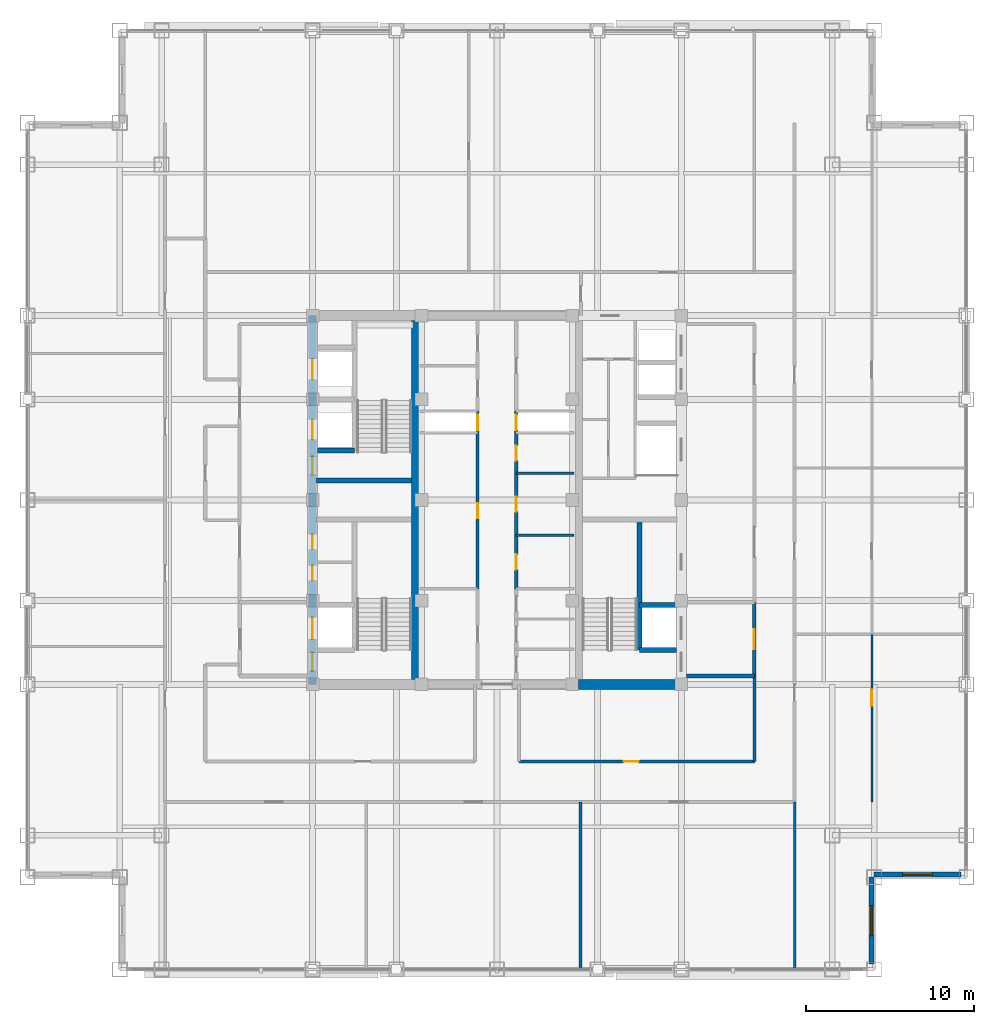
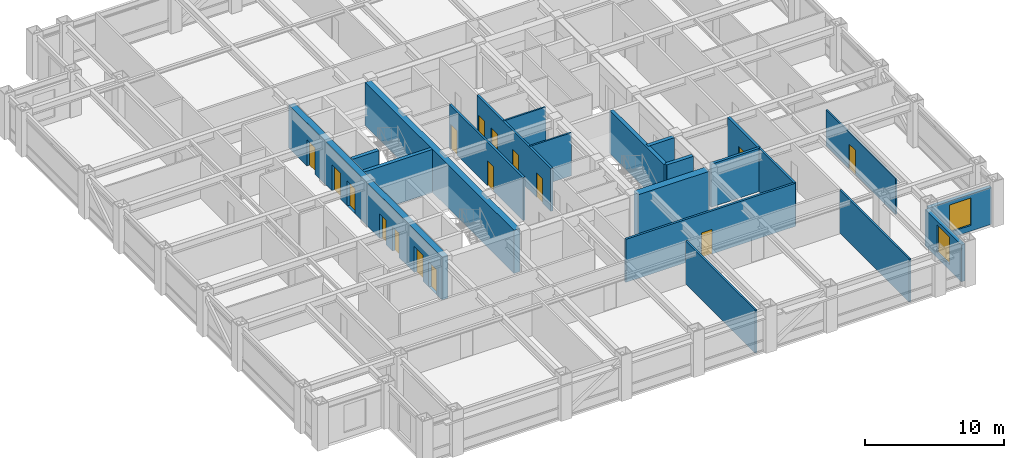
# One storey, part 19 of 27: 21 walls, 16 doors, 2 windows, 18 openings.
"""IFC4 building model written with IfcOpenShell, lengths in metres."""

from ifc_helpers import new_model, si_unit, direction, frame, frame_2d, origin, place, context, subcontext, project, spatial, rectangle, extrude, source, transform, mapped, material, layer, layer_set, type_object, element, fill, save


model = new_model("IFC4")

# Units and contexts
model_context = context("Model", 3, precision=1e-05, world=origin(), true_north=direction((0.0, 1.0)))
body_context = subcontext(model_context, "Body", "Model", "MODEL_VIEW")
ifc_project = project(units=[si_unit("LENGTHUNIT", "METRE"), si_unit("AREAUNIT", "SQUARE_METRE"), si_unit("VOLUMEUNIT", "CUBIC_METRE"), si_unit("PLANEANGLEUNIT", "RADIAN"), si_unit("MASSUNIT", "GRAM", prefix="KILO")], contexts=[model_context])

# Site, building, storey
site_placement = place(None, origin())
site = spatial("IfcSite", under=ifc_project, at=site_placement, CompositionType="ELEMENT")
building_placement = place(site_placement, origin())
building = spatial("IfcBuilding", under=site, at=building_placement, Name="Khorayat Bourse Tower", CompositionType="ELEMENT")
storey_placement = place(building_placement, frame((0.0, 0.0, 317.5)))
storey = spatial("IfcBuildingStorey", under=building, at=storey_placement, Name="L75", CompositionType="ELEMENT", Elevation=317.5)

# Wall, openings, doors
ifc_material_1 = material(Name="Concrete C52/65", Category="concrete")
ifc_layer_1 = layer(ifc_material_1, 0.5)
ifc_layer_set_1 = layer_set([ifc_layer_1], Name="Concrete C52/65")
wall_type_1 = type_object("IfcWallType", Name="WAL-CORE-500", PredefinedType="SHEAR", material=ifc_layer_set_1)
shared_shape_1 = source(origin(), body_context, "Body", "SweptSolid", [
    extrude(rectangle(XDim=22.0, YDim=0.5, at=frame_2d((11.0, 0.0))), origin(), (0.0, 0.0, 1.0), 3.780029296875),
])
wall_1_placement = place(storey_placement, frame((-11.0, -11.0, 0.0), z_axis=(0.0, 0.0, 1.0), x_axis=(0.0, 1.0, 0.0)))
wall_1 = element("IfcWall", 1, at=wall_1_placement, inside=storey, type_object=wall_type_1, Name="L75 Core Shear Wall CORE-W", PredefinedType="SHEAR", context=body_context, shape_type="MappedRepresentation", body=[
    mapped(shared_shape_1, transform((0.0, 0.0, 0.0), scale=1.0)),
])
shared_shape_2 = source(origin(), body_context, "Body", "SweptSolid", [
    extrude(rectangle(XDim=1.10009765625, YDim=2.199951171875, at=frame_2d((0.550048828125, 1.10009765625))), frame((0.0, 0.260009765625, 0.0), z_axis=(0.0, -1.0, 0.0), x_axis=(1.0, 0.0, 0.0)), (0.0, 0.0, 1.0), 0.52001953125),
])
opening_1_placement = place(wall_1_placement, frame((0.800048828125, 0.0, 0.0)))
opening_1 = element("IfcOpeningElement", 2, at=opening_1_placement, cuts=wall_1, Name="Opening DI-01", PredefinedType="OPENING", context=body_context, shape_type="MappedRepresentation", body=[
    mapped(shared_shape_2, transform((0.0, 0.0, 0.0), scale=1.0)),
])
opening_2_placement = place(wall_1_placement, frame((12.5, 0.0, 0.0)))
opening_2 = element("IfcOpeningElement", 3, at=opening_2_placement, cuts=wall_1, Name="Opening DI-01", PredefinedType="OPENING", context=body_context, shape_type="MappedRepresentation", body=[
    mapped(shared_shape_2, transform((0.0, 0.0, 0.0), scale=1.0)),
])
shared_shape_3 = source(origin(), body_context, "Body", "SweptSolid", [
    extrude(rectangle(XDim=0.89990234375, YDim=2.14990234375, at=frame_2d((0.449951171875, 1.074951171875))), frame((0.0, 0.260009765625, 0.0), z_axis=(0.0, -1.0, 0.0), x_axis=(1.0, 0.0, 0.0)), (0.0, 0.0, 1.0), 0.52001953125),
])
opening_3_placement = place(wall_1_placement, frame((6.199951171875, 0.0, 0.0)))
opening_3 = element("IfcOpeningElement", 4, at=opening_3_placement, cuts=wall_1, Name="Opening DI-06", PredefinedType="OPENING", context=body_context, shape_type="MappedRepresentation", body=[
    mapped(shared_shape_3, transform((0.0, 0.0, 0.0), scale=1.0)),
])
opening_4_placement = place(wall_1_placement, frame((8.050048828125, 0.0, 0.0)))
opening_4 = element("IfcOpeningElement", 5, at=opening_4_placement, cuts=wall_1, Name="Opening DI-06", PredefinedType="OPENING", context=body_context, shape_type="MappedRepresentation", body=[
    mapped(shared_shape_3, transform((0.0, 0.0, 0.0), scale=1.0)),
])
shared_shape_4 = source(origin(), body_context, "Body", "SweptSolid", [
    extrude(rectangle(XDim=1.199951171875, YDim=2.300048828125, at=frame_2d((0.60009765625, 1.14990234375))), frame((0.0, 0.260009765625, 0.0), z_axis=(0.0, -1.0, 0.0), x_axis=(1.0, 0.0, 0.0)), (0.0, 0.0, 1.0), 0.52001953125),
])
opening_5_placement = place(wall_1_placement, frame((14.60009765625, 0.0, 0.0)))
opening_5 = element("IfcOpeningElement", 6, at=opening_5_placement, cuts=wall_1, Name="Opening LD-01", PredefinedType="OPENING", context=body_context, shape_type="MappedRepresentation", body=[
    mapped(shared_shape_4, transform((0.0, 0.0, 0.0), scale=1.0)),
])
opening_6_placement = place(wall_1_placement, frame((18.199951171875, 0.0, 0.0)))
opening_6 = element("IfcOpeningElement", 7, at=opening_6_placement, cuts=wall_1, Name="Opening LD-01", PredefinedType="OPENING", context=body_context, shape_type="MappedRepresentation", body=[
    mapped(shared_shape_4, transform((0.0, 0.0, 0.0), scale=1.0)),
])
shared_shape_5 = source(origin(), body_context, "Body", "SweptSolid", [
    extrude(rectangle(XDim=1.300048828125, YDim=2.300048828125, at=frame_2d((0.64990234375, 1.14990234375))), frame((0.0, 0.260009765625, 0.0), z_axis=(0.0, -1.0, 0.0), x_axis=(1.0, 0.0, 0.0)), (0.0, 0.0, 1.0), 0.52001953125),
])
opening_7_placement = place(wall_1_placement, frame((2.699951171875, 0.0, 0.0)))
opening_7 = element("IfcOpeningElement", 8, at=opening_7_placement, cuts=wall_1, Name="Opening LD-02", PredefinedType="OPENING", context=body_context, shape_type="MappedRepresentation", body=[
    mapped(shared_shape_5, transform((0.0, 0.0, 0.0), scale=1.0)),
])
ifc_material_2 = material(Name="Fire-rated steel acoustic leaf", Category="steel")
door_type_1 = type_object("IfcDoorType", Name="DR-INT-STAIR-1100", OperationType="NOTDEFINED", PredefinedType="DOOR", material=ifc_material_2)
shared_shape_6 = source(origin(), body_context, "Body", "SweptSolid", [
    extrude(rectangle(XDim=1.10009765625, YDim=2.199951171875, at=frame_2d((0.550048828125, 1.10009765625))), frame((0.0, 0.02490234375, 0.0), z_axis=(0.0, -1.0, 0.0), x_axis=(1.0, 0.0, 0.0)), (0.0, 0.0, 1.0), 0.050048828125),
])
door_1_placement = place(opening_1_placement, origin())
door_1 = element("IfcDoor", 9, at=door_1_placement, inside=storey, type_object=door_type_1, Name="L75 Exit Stair 1 Door", OperationType="SINGLE_SWING_RIGHT", OverallHeight=2.199951171875, OverallWidth=1.10009765625, PredefinedType="DOOR", context=body_context, shape_type="MappedRepresentation", body=[
    mapped(shared_shape_6, transform((0.0, 0.0, 0.0), scale=1.0)),
])
fill(opening_1, door_1)
door_2_placement = place(opening_2_placement, origin())
door_2 = element("IfcDoor", 10, at=door_2_placement, inside=storey, type_object=door_type_1, Name="L75 Exit Stair 2 Door", OperationType="SINGLE_SWING_RIGHT", OverallHeight=2.199951171875, OverallWidth=1.10009765625, PredefinedType="DOOR", context=body_context, shape_type="MappedRepresentation", body=[
    mapped(shared_shape_6, transform((0.0, 0.0, 0.0), scale=1.0)),
])
fill(opening_2, door_2)
ifc_material_3 = material(Name="Moisture-resistant laminate washroom door")
door_type_2 = type_object("IfcDoorType", Name="DR-INT-WC-900", OperationType="NOTDEFINED", PredefinedType="DOOR", material=ifc_material_3)
shared_shape_7 = source(origin(), body_context, "Body", "SweptSolid", [
    extrude(rectangle(XDim=0.89990234375, YDim=2.14990234375, at=frame_2d((0.449951171875, 1.074951171875))), frame((0.0, 0.02490234375, 0.0), z_axis=(0.0, -1.0, 0.0), x_axis=(1.0, 0.0, 0.0)), (0.0, 0.0, 1.0), 0.050048828125),
])
door_3_placement = place(opening_3_placement, origin())
door_3 = element("IfcDoor", 11, at=door_3_placement, inside=storey, type_object=door_type_2, Name="L75 Electrical Plant Room Door", OperationType="SINGLE_SWING_RIGHT", OverallHeight=2.14990234375, OverallWidth=0.89990234375, PredefinedType="DOOR", context=body_context, shape_type="MappedRepresentation", body=[
    mapped(shared_shape_7, transform((0.0, 0.0, 0.0), scale=1.0)),
])
fill(opening_3, door_3)
door_4_placement = place(opening_4_placement, origin())
door_4 = element("IfcDoor", 12, at=door_4_placement, inside=storey, type_object=door_type_2, Name="L75 Cleaner Storage Room Door", OperationType="SINGLE_SWING_LEFT", OverallHeight=2.14990234375, OverallWidth=0.89990234375, PredefinedType="DOOR", context=body_context, shape_type="MappedRepresentation", body=[
    mapped(shared_shape_7, transform((0.0, 0.0, 0.0), scale=1.0)),
])
fill(opening_4, door_4)
ifc_material_4 = material(Name="Brushed bronze stainless-steel sliding door", Category="steel")
door_type_3 = type_object("IfcDoorType", Name="DR-LIFT-PASS-1200", OperationType="NOTDEFINED", PredefinedType="DOOR", material=ifc_material_4)
shared_shape_8 = source(origin(), body_context, "Body", "SweptSolid", [
    extrude(rectangle(XDim=1.199951171875, YDim=2.300048828125, at=frame_2d((0.60009765625, 1.14990234375))), frame((0.0, 0.02490234375, 0.0), z_axis=(0.0, -1.0, 0.0), x_axis=(1.0, 0.0, 0.0)), (0.0, 0.0, 1.0), 0.050048828125),
])
door_5_placement = place(opening_5_placement, origin())
door_5 = element("IfcDoor", 13, at=door_5_placement, inside=storey, type_object=door_type_3, Name="L75 Lift PL-H1 Sliding Landing Door", OperationType="SLIDING_TO_LEFT", OverallHeight=2.300048828125, OverallWidth=1.199951171875, PredefinedType="DOOR", context=body_context, shape_type="MappedRepresentation", body=[
    mapped(shared_shape_8, transform((0.0, 0.0, 0.0), scale=1.0)),
])
fill(opening_5, door_5)
door_6_placement = place(opening_6_placement, origin())
door_6 = element("IfcDoor", 14, at=door_6_placement, inside=storey, type_object=door_type_3, Name="L75 Lift PL-H2 Sliding Landing Door", OperationType="SLIDING_TO_LEFT", OverallHeight=2.300048828125, OverallWidth=1.199951171875, PredefinedType="DOOR", context=body_context, shape_type="MappedRepresentation", body=[
    mapped(shared_shape_8, transform((0.0, 0.0, 0.0), scale=1.0)),
])
fill(opening_6, door_6)
ifc_material_5 = material(Name="Fire-rated stainless-steel sliding landing door", Category="steel")
door_type_4 = type_object("IfcDoorType", Name="DR-LIFT-FF-1300", OperationType="NOTDEFINED", PredefinedType="DOOR", material=ifc_material_5)
shared_shape_9 = source(origin(), body_context, "Body", "SweptSolid", [
    extrude(rectangle(XDim=1.300048828125, YDim=2.300048828125, at=frame_2d((0.64990234375, 1.14990234375))), frame((0.0, 0.02490234375, 0.0), z_axis=(0.0, -1.0, 0.0), x_axis=(1.0, 0.0, 0.0)), (0.0, 0.0, 1.0), 0.050048828125),
])
door_7_placement = place(opening_7_placement, origin())
door_7 = element("IfcDoor", 15, at=door_7_placement, inside=storey, type_object=door_type_4, Name="L75 Lift FFL-01 Sliding Landing Door", OperationType="SLIDING_TO_LEFT", OverallHeight=2.300048828125, OverallWidth=1.300048828125, PredefinedType="DOOR", context=body_context, shape_type="MappedRepresentation", body=[
    mapped(shared_shape_9, transform((0.0, 0.0, 0.0), scale=1.0)),
])
fill(opening_7, door_7)

# Walls
shared_shape_10 = source(origin(), body_context, "Body", "SweptSolid", [
    extrude(rectangle(XDim=21.39990234375, YDim=0.5, at=frame_2d((10.699951171875, 0.0))), origin(), (0.0, 0.0, 1.0), 3.780029296875),
])
wall_2_placement = place(storey_placement, frame((-4.85009765625, -10.699951171875, 0.0), z_axis=(0.0, 0.0, 1.0), x_axis=(0.0, 1.0, 0.0)))
element("IfcWall", 16, at=wall_2_placement, inside=storey, type_object=wall_type_1, Name="L75 Core Shear Wall PIER-W", PredefinedType="SHEAR", context=body_context, shape_type="MappedRepresentation", body=[
    mapped(shared_shape_10, transform((0.0, 0.0, 0.0), scale=1.0)),
])
ifc_material_6 = material(Name="Concrete C60/75", Category="concrete")
ifc_layer_2 = layer(ifc_material_6, 0.60009765625)
ifc_layer_set_2 = layer_set([ifc_layer_2], Name="Concrete C60/75")
wall_type_2 = type_object("IfcWallType", Name="WAL-CORE-600", PredefinedType="SHEAR", material=ifc_layer_set_2)
shared_shape_11 = source(origin(), body_context, "Body", "SweptSolid", [
    extrude(rectangle(XDim=5.89990234375, YDim=0.60009765625, at=frame_2d((2.949951171875, 0.0))), origin(), (0.0, 0.0, 1.0), 3.780029296875),
])
wall_3_placement = place(storey_placement, frame((4.85009765625, -11.0, 0.0), z_axis=(0.0, 0.0, 1.0), x_axis=(1.0, 0.0, 0.0)))
element("IfcWall", 17, at=wall_3_placement, inside=storey, type_object=wall_type_2, Name="L75 Core Shear Wall PIER-ES", PredefinedType="SHEAR", context=body_context, shape_type="MappedRepresentation", body=[
    mapped(shared_shape_11, transform((0.0, 0.0, 0.0), scale=1.0)),
])
ifc_material_7 = material(Name="Concrete C50/60", Category="concrete")
ifc_layer_3 = layer(ifc_material_7, 0.300048828125)
ifc_layer_set_3 = layer_set([ifc_layer_3], Name="Concrete C50/60")
wall_type_3 = type_object("IfcWallType", Name="WAL-SHAFT-300", PredefinedType="SHEAR", material=ifc_layer_set_3)
shared_shape_12 = source(origin(), body_context, "Body", "SweptSolid", [
    extrude(rectangle(XDim=5.64990234375, YDim=0.300048828125, at=frame_2d((2.824951171875, 0.0))), origin(), (0.0, 0.0, 1.0), 3.780029296875),
])
wall_4_placement = place(storey_placement, frame((-10.75, 1.14990234375, 0.0), z_axis=(0.0, 0.0, 1.0), x_axis=(1.0, 0.0, 0.0)))
element("IfcWall", 18, at=wall_4_placement, inside=storey, type_object=wall_type_3, Name="L75 Core Shear Wall ST2-DIV", PredefinedType="SHEAR", context=body_context, shape_type="MappedRepresentation", body=[
    mapped(shared_shape_12, transform((0.0, 0.0, 0.0), scale=1.0)),
])

# Wall, opening, window
ifc_material_8 = material(Name="Precast concrete C45/55", Category="concrete")
ifc_layer_4 = layer(ifc_material_8, 0.320068359375)
ifc_layer_set_4 = layer_set([ifc_layer_4], Name="Precast concrete C45/55")
wall_type_4 = type_object("IfcWallType", Name="WAL-EXT-STONE-320", PredefinedType="STANDARD", material=ifc_layer_set_4)
shared_shape_13 = source(origin(), body_context, "Body", "SweptSolid", [
    extrude(rectangle(XDim=5.179931640625, YDim=0.320068359375, at=frame_2d((2.58984375, 0.0))), origin(), (0.0, 0.0, 1.0), 3.23095703125),
])
wall_5_placement = place(storey_placement, frame((22.340087890625, -27.679931640625, 0.0), z_axis=(0.0, 0.0, 1.0), x_axis=(0.0, 1.0, 0.0)))
wall_5 = element("IfcWall", 19, at=wall_5_placement, inside=storey, type_object=wall_type_4, Name="L75 Re-Entrant Notch Limestone Wall SE-V", PredefinedType="STANDARD", context=body_context, shape_type="MappedRepresentation", body=[
    mapped(shared_shape_13, transform((0.0, 0.0, 0.0), scale=1.0)),
])
shared_shape_14 = source(origin(), body_context, "Body", "SweptSolid", [
    extrude(rectangle(XDim=1.800048828125, YDim=2.39990234375, at=frame_2d((0.89990234375, 1.199951171875))), frame((0.0, 0.169921875, 0.0), z_axis=(0.0, -1.0, 0.0), x_axis=(1.0, 0.0, 0.0)), (0.0, 0.0, 1.0), 0.340087890625),
])
opening_8_placement = place(wall_5_placement, frame((1.68994140625, 0.0, 0.5)))
opening_8 = element("IfcOpeningElement", 20, at=opening_8_placement, cuts=wall_5, Name="Opening WN-04", PredefinedType="OPENING", context=body_context, shape_type="MappedRepresentation", body=[
    mapped(shared_shape_14, transform((0.0, 0.0, 0.0), scale=1.0)),
])
ifc_material_9 = material(Name="Low-E acoustic laminated double glazing", Category="glass")
window_type = type_object("IfcWindowType", Name="WIN-NOTCH-1800x2400", PartitioningType="SINGLE_PANEL", PredefinedType="WINDOW", material=ifc_material_9)
shared_shape_15 = source(origin(), body_context, "Body", "SweptSolid", [
    extrude(rectangle(XDim=1.800048828125, YDim=2.39990234375, at=frame_2d((0.89990234375, 1.199951171875))), frame((0.0, 0.030029296875, 0.0), z_axis=(0.0, -1.0, 0.0), x_axis=(1.0, 0.0, 0.0)), (0.0, 0.0, 1.0), 0.06005859375),
])
window_1_placement = place(opening_8_placement, origin())
window_1 = element("IfcWindow", 21, at=window_1_placement, inside=storey, type_object=window_type, Name="L75 Facade Window 1", OverallHeight=2.39990234375, OverallWidth=1.800048828125, PartitioningType="SINGLE_PANEL", PredefinedType="WINDOW", context=body_context, shape_type="MappedRepresentation", body=[
    mapped(shared_shape_15, transform((0.0, 0.0, 0.0), scale=1.0)),
])
fill(opening_8, window_1)

wall_6_placement = place(storey_placement, frame((22.5, -22.340087890625, 0.0), z_axis=(0.0, 0.0, 1.0), x_axis=(1.0, 0.0, 0.0)))
wall_6 = element("IfcWall", 22, at=wall_6_placement, inside=storey, type_object=wall_type_4, Name="L75 Re-Entrant Notch Limestone Wall SE-H", PredefinedType="STANDARD", context=body_context, shape_type="MappedRepresentation", body=[
    mapped(shared_shape_13, transform((0.0, 0.0, 0.0), scale=1.0)),
])
opening_9_placement = place(wall_6_placement, frame((1.68994140625, 0.0, 0.5)))
opening_9 = element("IfcOpeningElement", 23, at=opening_9_placement, cuts=wall_6, Name="Opening WN-04", PredefinedType="OPENING", context=body_context, shape_type="MappedRepresentation", body=[
    mapped(shared_shape_14, transform((0.0, 0.0, 0.0), scale=1.0)),
])
window_2_placement = place(opening_9_placement, origin())
window_2 = element("IfcWindow", 24, at=window_2_placement, inside=storey, type_object=window_type, Name="L75 Facade Window 1", OverallHeight=2.39990234375, OverallWidth=1.800048828125, PartitioningType="SINGLE_PANEL", PredefinedType="WINDOW", context=body_context, shape_type="MappedRepresentation", body=[
    mapped(shared_shape_15, transform((0.0, 0.0, 0.0), scale=1.0)),
])
fill(opening_9, window_2)

# Walls
shared_shape_16 = source(origin(), body_context, "Body", "SweptSolid", [
    extrude(rectangle(XDim=7.800048828125, YDim=0.300048828125, at=frame_2d((3.89990234375, 0.0))), origin(), (0.0, 0.0, 1.0), 3.780029296875),
])
wall_7_placement = place(storey_placement, frame((8.5, -8.949951171875, 0.0), z_axis=(0.0, 0.0, 1.0), x_axis=(0.0, 1.0, 0.0)))
element("IfcWall", 25, at=wall_7_placement, inside=storey, type_object=wall_type_3, Name="L75 Partition WAL-L75-EPIER-SP", PredefinedType="SHEAR", context=body_context, shape_type="MappedRepresentation", body=[
    mapped(shared_shape_16, transform((0.0, 0.0, 0.0), scale=1.0)),
])
shared_shape_17 = source(origin(), body_context, "Body", "SweptSolid", [
    extrude(rectangle(XDim=2.199951171875, YDim=0.300048828125, at=frame_2d((1.10009765625, 0.0))), origin(), (0.0, 0.0, 1.0), 3.780029296875),
])
for number, where, z_axis, x_axis, name in (
    (26, (-10.699951171875, 2.949951171875, 0.0), (0.0, 0.0, 1.0), (1.0, 0.0, 0.0), "L75 Partition WAL-L75-WPIER-H1S"),
    (27, (8.5, -8.949951171875, 0.0), (0.0, 0.0, 1.0), (1.0, 0.0, 0.0), "L75 Partition WAL-L75-EPIER-FF2S"),
    (28, (8.5, -6.25, 0.0), (0.0, 0.0, 1.0), (1.0, 0.0, 0.0), "L75 Partition WAL-L75-EPIER-FF2N"),
):
    element("IfcWall", number, at=place(storey_placement, frame(where, z_axis=z_axis, x_axis=x_axis)), inside=storey, type_object=wall_type_3, Name=name, PredefinedType="SHEAR", context=body_context, shape_type="MappedRepresentation", body=[
        mapped(shared_shape_17, transform((0.0, 0.0, 0.0), scale=1.0)),
    ])
ifc_material_10 = material(Name="Aerated concrete blockwork", Category="masonry")
ifc_layer_5 = layer(ifc_material_10, 0.219970703125)
ifc_layer_set_5 = layer_set([ifc_layer_5], Name="Aerated concrete blockwork")
wall_type_5 = type_object("IfcWallType", Name="WAL-PART-FF-220", PredefinedType="PARTITIONING", material=ifc_layer_set_5)
shared_shape_18 = source(origin(), body_context, "Body", "SweptSolid", [
    extrude(rectangle(XDim=4.050048828125, YDim=0.219970703125, at=frame_2d((2.02490234375, 0.0))), origin(), (0.0, 0.0, 1.0), 3.780029296875),
])
wall_8_placement = place(storey_placement, frame((11.300048828125, -10.5, 0.0), z_axis=(0.0, 0.0, 1.0), x_axis=(1.0, 0.0, 0.0)))
element("IfcWall", 29, at=wall_8_placement, inside=storey, type_object=wall_type_5, Name="L75 Partition WAL-L75-FFLE-S", PredefinedType="PARTITIONING", context=body_context, shape_type="MappedRepresentation", body=[
    mapped(shared_shape_18, transform((0.0, 0.0, 0.0), scale=1.0)),
])

# Wall, opening, door
shared_shape_19 = source(origin(), body_context, "Body", "SweptSolid", [
    extrude(rectangle(XDim=4.39990234375, YDim=0.219970703125, at=frame_2d((2.199951171875, 0.0))), origin(), (0.0, 0.0, 1.0), 3.780029296875),
])
wall_9_placement = place(storey_placement, frame((15.35009765625, -10.5, 0.0), z_axis=(0.0, 0.0, 1.0), x_axis=(0.0, 1.0, 0.0)))
wall_9 = element("IfcWall", 30, at=wall_9_placement, inside=storey, type_object=wall_type_5, Name="L75 Partition WAL-L75-FFLE-E", PredefinedType="PARTITIONING", context=body_context, shape_type="MappedRepresentation", body=[
    mapped(shared_shape_19, transform((0.0, 0.0, 0.0), scale=1.0)),
])
shared_shape_20 = source(origin(), body_context, "Body", "SweptSolid", [
    extrude(rectangle(XDim=1.199951171875, YDim=2.199951171875, at=frame_2d((0.60009765625, 1.10009765625))), frame((0.0, 0.119873046875, 0.0), z_axis=(0.0, -1.0, 0.0), x_axis=(1.0, 0.0, 0.0)), (0.0, 0.0, 1.0), 0.239990234375),
])
opening_10_placement = place(wall_9_placement, frame((1.60009765625, 0.0, 0.0)))
opening_10 = element("IfcOpeningElement", 31, at=opening_10_placement, cuts=wall_9, Name="Opening DI-02", PredefinedType="OPENING", context=body_context, shape_type="MappedRepresentation", body=[
    mapped(shared_shape_20, transform((0.0, 0.0, 0.0), scale=1.0)),
])
ifc_material_11 = material(Name="Fire-rated steel double-seal leaf", Category="steel")
door_type_5 = type_object("IfcDoorType", Name="DR-INT-FFLOBBY-1200", OperationType="NOTDEFINED", PredefinedType="DOOR", material=ifc_material_11)
shared_shape_21 = source(origin(), body_context, "Body", "SweptSolid", [
    extrude(rectangle(XDim=1.199951171875, YDim=2.199951171875, at=frame_2d((0.60009765625, 1.10009765625))), frame((0.0, 0.02490234375, 0.0), z_axis=(0.0, -1.0, 0.0), x_axis=(1.0, 0.0, 0.0)), (0.0, 0.0, 1.0), 0.050048828125),
])
door_8_placement = place(opening_10_placement, origin())
door_8 = element("IfcDoor", 32, at=door_8_placement, inside=storey, type_object=door_type_5, Name="L75 East Firefighting Lobby Door", OperationType="SINGLE_SWING_RIGHT", OverallHeight=2.199951171875, OverallWidth=1.199951171875, PredefinedType="DOOR", context=body_context, shape_type="MappedRepresentation", body=[
    mapped(shared_shape_21, transform((0.0, 0.0, 0.0), scale=1.0)),
])
fill(opening_10, door_8)

# Walls
ifc_material_12 = material(Name="Moisture-resistant masonry partition", Category="masonry")
ifc_layer_6 = layer(ifc_material_12, 0.139892578125)
ifc_layer_set_6 = layer_set([ifc_layer_6], Name="Moisture-resistant masonry partition")
wall_type_6 = type_object("IfcWallType", Name="WAL-PART-WET-140", PredefinedType="PARTITIONING", material=ifc_layer_set_6)
shared_shape_22 = source(origin(), body_context, "Body", "SweptSolid", [
    extrude(rectangle(XDim=3.4501953125, YDim=0.139892578125, at=frame_2d((1.72509765625, 0.0))), origin(), (0.0, 0.0, 1.0), 3.780029296875),
])
for number, where, z_axis, x_axis, name in (
    (33, (1.14990234375, -2.10009765625, 0.0), (0.0, 0.0, 1.0), (1.0, 0.0, 0.0), "L75 Partition WAL-L75-CME-D1"),
    (34, (1.14990234375, 1.60009765625, 0.0), (0.0, 0.0, 1.0), (1.0, 0.0, 0.0), "L75 Partition WAL-L75-CME-D2"),
):
    element("IfcWall", number, at=place(storey_placement, frame(where, z_axis=z_axis, x_axis=x_axis)), inside=storey, type_object=wall_type_6, Name=name, PredefinedType="PARTITIONING", context=body_context, shape_type="MappedRepresentation", body=[
        mapped(shared_shape_22, transform((0.0, 0.0, 0.0), scale=1.0)),
    ])

# Wall, openings, doors
ifc_material_13 = material(Name="Gypsum plasterboard acoustic stud wall")
ifc_layer_7 = layer(ifc_material_13, 0.179931640625)
ifc_layer_set_7 = layer_set([ifc_layer_7], Name="Gypsum plasterboard acoustic stud wall")
wall_type_7 = type_object("IfcWallType", Name="WAL-PART-CORR-180", PredefinedType="PARTITIONING", material=ifc_layer_set_7)
shared_shape_23 = source(origin(), body_context, "Body", "SweptSolid", [
    extrude(rectangle(XDim=10.60009765625, YDim=0.179931640625, at=frame_2d((5.300048828125, 0.0))), origin(), (0.0, 0.0, 1.0), 3.780029296875),
])
wall_10_placement = place(storey_placement, frame((-1.14990234375, -5.300048828125, 0.0), z_axis=(0.0, 0.0, 1.0), x_axis=(0.0, 1.0, 0.0)))
wall_10 = element("IfcWall", 35, at=wall_10_placement, inside=storey, type_object=wall_type_7, Name="L75 Partition WAL-L75-CMW-L", PredefinedType="PARTITIONING", context=body_context, shape_type="MappedRepresentation", body=[
    mapped(shared_shape_23, transform((0.0, 0.0, 0.0), scale=1.0)),
])
shared_shape_24 = source(origin(), body_context, "Body", "SweptSolid", [
    extrude(rectangle(XDim=0.89990234375, YDim=2.14990234375, at=frame_2d((0.449951171875, 1.074951171875))), frame((0.0, 0.099853515625, 0.0), z_axis=(0.0, -1.0, 0.0), x_axis=(1.0, 0.0, 0.0)), (0.0, 0.0, 1.0), 0.199951171875),
])
opening_11_placement = place(wall_10_placement, frame((4.199951171875, 0.0, 0.0)))
opening_11 = element("IfcOpeningElement", 36, at=opening_11_placement, cuts=wall_10, Name="Opening DI-06", PredefinedType="OPENING", context=body_context, shape_type="MappedRepresentation", body=[
    mapped(shared_shape_24, transform((0.0, 0.0, 0.0), scale=1.0)),
])
opening_12_placement = place(wall_10_placement, frame((9.47509765625, 0.0, 0.0)))
opening_12 = element("IfcOpeningElement", 37, at=opening_12_placement, cuts=wall_10, Name="Opening DI-06", PredefinedType="OPENING", context=body_context, shape_type="MappedRepresentation", body=[
    mapped(shared_shape_24, transform((0.0, 0.0, 0.0), scale=1.0)),
])
door_9_placement = place(opening_11_placement, origin())
door_9 = element("IfcDoor", 38, at=door_9_placement, inside=storey, type_object=door_type_2, Name="L75 Male Core Washroom Door", OperationType="SINGLE_SWING_RIGHT", OverallHeight=2.14990234375, OverallWidth=0.89990234375, PredefinedType="DOOR", context=body_context, shape_type="MappedRepresentation", body=[
    mapped(shared_shape_7, transform((0.0, 0.0, 0.0), scale=1.0)),
])
fill(opening_11, door_9)
door_10_placement = place(opening_12_placement, origin())
door_10 = element("IfcDoor", 39, at=door_10_placement, inside=storey, type_object=door_type_2, Name="L75 West Core Riser Door", OperationType="SINGLE_SWING_LEFT", OverallHeight=2.14990234375, OverallWidth=0.89990234375, PredefinedType="DOOR", context=body_context, shape_type="MappedRepresentation", body=[
    mapped(shared_shape_7, transform((0.0, 0.0, 0.0), scale=1.0)),
])
fill(opening_12, door_10)

wall_11_placement = place(storey_placement, frame((1.14990234375, -5.300048828125, 0.0), z_axis=(0.0, 0.0, 1.0), x_axis=(0.0, 1.0, 0.0)))
wall_11 = element("IfcWall", 40, at=wall_11_placement, inside=storey, type_object=wall_type_7, Name="L75 Partition WAL-L75-CME-L", PredefinedType="PARTITIONING", context=body_context, shape_type="MappedRepresentation", body=[
    mapped(shared_shape_23, transform((0.0, 0.0, 0.0), scale=1.0)),
])
opening_13_placement = place(wall_11_placement, frame((1.14990234375, 0.0, 0.0)))
opening_13 = element("IfcOpeningElement", 41, at=opening_13_placement, cuts=wall_11, Name="Opening DI-06", PredefinedType="OPENING", context=body_context, shape_type="MappedRepresentation", body=[
    mapped(shared_shape_24, transform((0.0, 0.0, 0.0), scale=1.0)),
])
opening_14_placement = place(wall_11_placement, frame((4.60009765625, 0.0, 0.0)))
opening_14 = element("IfcOpeningElement", 42, at=opening_14_placement, cuts=wall_11, Name="Opening DI-06", PredefinedType="OPENING", context=body_context, shape_type="MappedRepresentation", body=[
    mapped(shared_shape_24, transform((0.0, 0.0, 0.0), scale=1.0)),
])
opening_15_placement = place(wall_11_placement, frame((7.64990234375, 0.0, 0.0)))
opening_15 = element("IfcOpeningElement", 43, at=opening_15_placement, cuts=wall_11, Name="Opening DI-06", PredefinedType="OPENING", context=body_context, shape_type="MappedRepresentation", body=[
    mapped(shared_shape_24, transform((0.0, 0.0, 0.0), scale=1.0)),
])
opening_16_placement = place(wall_11_placement, frame((9.47509765625, 0.0, 0.0)))
opening_16 = element("IfcOpeningElement", 44, at=opening_16_placement, cuts=wall_11, Name="Opening DI-06", PredefinedType="OPENING", context=body_context, shape_type="MappedRepresentation", body=[
    mapped(shared_shape_24, transform((0.0, 0.0, 0.0), scale=1.0)),
])
door_11_placement = place(opening_13_placement, origin())
door_11 = element("IfcDoor", 45, at=door_11_placement, inside=storey, type_object=door_type_2, Name="L75 Female Core Washroom Door", OperationType="SINGLE_SWING_RIGHT", OverallHeight=2.14990234375, OverallWidth=0.89990234375, PredefinedType="DOOR", context=body_context, shape_type="MappedRepresentation", body=[
    mapped(shared_shape_7, transform((0.0, 0.0, 0.0), scale=1.0)),
])
fill(opening_13, door_11)
door_12_placement = place(opening_14_placement, origin())
door_12 = element("IfcDoor", 46, at=door_12_placement, inside=storey, type_object=door_type_2, Name="L75 Cleaners Store Door", OperationType="SINGLE_SWING_LEFT", OverallHeight=2.14990234375, OverallWidth=0.89990234375, PredefinedType="DOOR", context=body_context, shape_type="MappedRepresentation", body=[
    mapped(shared_shape_7, transform((0.0, 0.0, 0.0), scale=1.0)),
])
fill(opening_14, door_12)
door_13_placement = place(opening_15_placement, origin())
door_13 = element("IfcDoor", 47, at=door_13_placement, inside=storey, type_object=door_type_2, Name="L75 Meter and BMS Plant Room Door", OperationType="SINGLE_SWING_RIGHT", OverallHeight=2.14990234375, OverallWidth=0.89990234375, PredefinedType="DOOR", context=body_context, shape_type="MappedRepresentation", body=[
    mapped(shared_shape_7, transform((0.0, 0.0, 0.0), scale=1.0)),
])
fill(opening_15, door_13)
door_14_placement = place(opening_16_placement, origin())
door_14 = element("IfcDoor", 48, at=door_14_placement, inside=storey, type_object=door_type_2, Name="L75 East Core Riser Door", OperationType="SINGLE_SWING_RIGHT", OverallHeight=2.14990234375, OverallWidth=0.89990234375, PredefinedType="DOOR", context=body_context, shape_type="MappedRepresentation", body=[
    mapped(shared_shape_7, transform((0.0, 0.0, 0.0), scale=1.0)),
])
fill(opening_16, door_14)

# Wall, opening, door
shared_shape_25 = source(origin(), body_context, "Body", "SweptSolid", [
    extrude(rectangle(XDim=14.050048828125, YDim=0.179931640625, at=frame_2d((7.02490234375, 0.0))), origin(), (0.0, 0.0, 1.0), 3.780029296875),
])
wall_12_placement = place(storey_placement, frame((1.300048828125, -15.60009765625, 0.0), z_axis=(0.0, 0.0, 1.0), x_axis=(1.0, 0.0, 0.0)))
wall_12 = element("IfcWall", 49, at=wall_12_placement, inside=storey, type_object=wall_type_7, Name="L75 Partition WAL-L75-PKSE-S", PredefinedType="PARTITIONING", context=body_context, shape_type="MappedRepresentation", body=[
    mapped(shared_shape_25, transform((0.0, 0.0, 0.0), scale=1.0)),
])
opening_17_placement = place(wall_12_placement, frame((6.25, 0.0, 0.0)))
opening_17 = element("IfcOpeningElement", 50, at=opening_17_placement, cuts=wall_12, Name="Opening DI-06", PredefinedType="OPENING", context=body_context, shape_type="MappedRepresentation", body=[
    mapped(shared_shape_24, transform((0.0, 0.0, 0.0), scale=1.0)),
])
door_15_placement = place(opening_17_placement, origin())
door_15 = element("IfcDoor", 51, at=door_15_placement, inside=storey, type_object=door_type_2, Name="L75 SE Inboard Study Door", OperationType="SINGLE_SWING_RIGHT", OverallHeight=2.14990234375, OverallWidth=0.89990234375, PredefinedType="DOOR", context=body_context, shape_type="MappedRepresentation", body=[
    mapped(shared_shape_7, transform((0.0, 0.0, 0.0), scale=1.0)),
])
fill(opening_17, door_15)

# Walls
shared_shape_26 = source(origin(), body_context, "Body", "SweptSolid", [
    extrude(rectangle(XDim=5.10009765625, YDim=0.179931640625, at=frame_2d((2.550048828125, 0.0))), origin(), (0.0, 0.0, 1.0), 3.780029296875),
])
wall_13_placement = place(storey_placement, frame((15.35009765625, -15.60009765625, 0.0), z_axis=(0.0, 0.0, 1.0), x_axis=(0.0, 1.0, 0.0)))
element("IfcWall", 52, at=wall_13_placement, inside=storey, type_object=wall_type_7, Name="L75 Partition WAL-L75-PKSE-E", PredefinedType="PARTITIONING", context=body_context, shape_type="MappedRepresentation", body=[
    mapped(shared_shape_26, transform((0.0, 0.0, 0.0), scale=1.0)),
])
ifc_material_14 = material(Name="Gypsum plasterboard twin-frame partition")
ifc_layer_8 = layer(ifc_material_14, 0.14990234375)
ifc_layer_set_8 = layer_set([ifc_layer_8], Name="Gypsum plasterboard twin-frame partition")
wall_type_8 = type_object("IfcWallType", Name="WAL-PART-SUITE-150", PredefinedType="PARTITIONING", material=ifc_layer_set_8)
shared_shape_27 = source(origin(), body_context, "Body", "SweptSolid", [
    extrude(rectangle(XDim=10.0, YDim=0.14990234375, at=frame_2d((5.0, 0.0))), origin(), (0.0, 0.0, 1.0), 3.780029296875),
])
for number, where, z_axis, x_axis, name in (
    (53, (4.98291015625, -28.0, 0.0), (0.0, 0.0, 1.0), (0.0, 1.0, 0.0), "L75 Partition WAL-L75-SDV-2"),
    (54, (17.75, -28.0, 0.0), (0.0, 0.0, 1.0), (0.0, 1.0, 0.0), "L75 Partition WAL-L75-SCE-END"),
):
    element("IfcWall", number, at=place(storey_placement, frame(where, z_axis=z_axis, x_axis=x_axis)), inside=storey, type_object=wall_type_8, Name=name, PredefinedType="PARTITIONING", context=body_context, shape_type="MappedRepresentation", body=[
        mapped(shared_shape_27, transform((0.0, 0.0, 0.0), scale=1.0)),
    ])

# Wall, opening, door
ifc_material_15 = material(Name="Gypsum plasterboard partition")
ifc_layer_9 = layer(ifc_material_15, 0.125)
ifc_layer_set_9 = layer_set([ifc_layer_9], Name="Gypsum plasterboard partition")
wall_type_9 = type_object("IfcWallType", Name="WAL-PART-ROOM-125", PredefinedType="PARTITIONING", material=ifc_layer_set_9)
shared_shape_28 = source(origin(), body_context, "Body", "SweptSolid", [
    extrude(rectangle(XDim=9.991943359375, YDim=0.125, at=frame_2d((4.99609375, 0.0))), origin(), (0.0, 0.0, 1.0), 3.1640625),
])
wall_14_placement = place(storey_placement, frame((22.362548828125, -18.0, 0.0), z_axis=(0.0, 0.0, 1.0), x_axis=(0.0, 1.0, 0.0)))
wall_14 = element("IfcWall", 55, at=wall_14_placement, inside=storey, type_object=wall_type_9, Name="L75 Partition WAL-L75-EDP-1", PredefinedType="PARTITIONING", context=body_context, shape_type="MappedRepresentation", body=[
    mapped(shared_shape_28, transform((0.0, 0.0, 0.0), scale=1.0)),
])
shared_shape_29 = source(origin(), body_context, "Body", "SweptSolid", [
    extrude(rectangle(XDim=0.949951171875, YDim=2.14990234375, at=frame_2d((0.47509765625, 1.074951171875))), frame((0.0, 0.072509765625, 0.0), z_axis=(0.0, -1.0, 0.0), x_axis=(1.0, 0.0, 0.0)), (0.0, 0.0, 1.0), 0.14501953125),
])
opening_18_placement = place(wall_14_placement, frame((5.720947265625, 0.0, 0.0)))
opening_18 = element("IfcOpeningElement", 56, at=opening_18_placement, cuts=wall_14, Name="Opening DI-05", PredefinedType="OPENING", context=body_context, shape_type="MappedRepresentation", body=[
    mapped(shared_shape_29, transform((0.0, 0.0, 0.0), scale=1.0)),
])
ifc_material_16 = material(Name="Acoustic oak veneer office door")
door_type_6 = type_object("IfcDoorType", Name="DR-INT-OFFICE-950", OperationType="NOTDEFINED", PredefinedType="DOOR", material=ifc_material_16)
shared_shape_30 = source(origin(), body_context, "Body", "SweptSolid", [
    extrude(rectangle(XDim=0.949951171875, YDim=2.14990234375, at=frame_2d((0.47509765625, 1.074951171875))), frame((0.0, 0.02490234375, 0.0), z_axis=(0.0, -1.0, 0.0), x_axis=(1.0, 0.0, 0.0)), (0.0, 0.0, 1.0), 0.050048828125),
])
door_16_placement = place(opening_18_placement, origin())
door_16 = element("IfcDoor", 57, at=door_16_placement, inside=storey, type_object=door_type_6, Name="L75 Members Exchange Lounge E1B Door", OperationType="SINGLE_SWING_RIGHT", OverallHeight=2.14990234375, OverallWidth=0.949951171875, PredefinedType="DOOR", context=body_context, shape_type="MappedRepresentation", body=[
    mapped(shared_shape_30, transform((0.0, 0.0, 0.0), scale=1.0)),
])
fill(opening_18, door_16)

save(model, "model.ifc")
